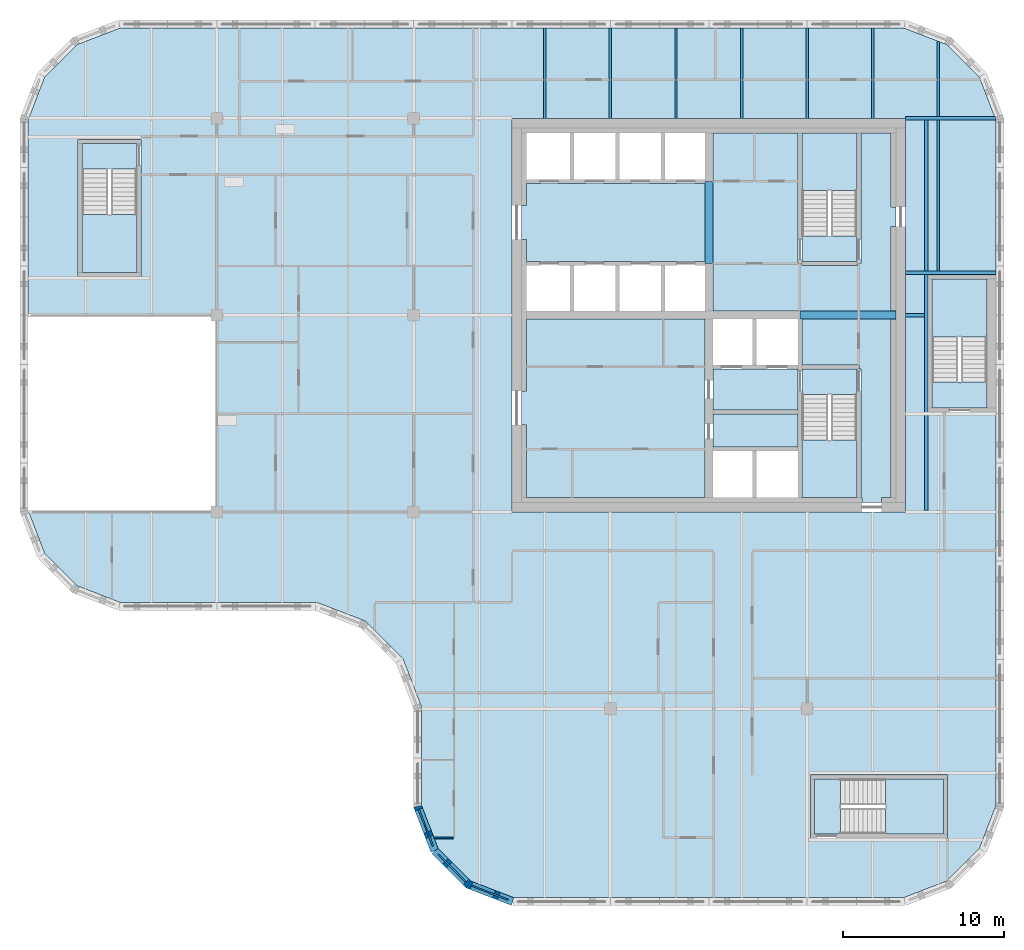
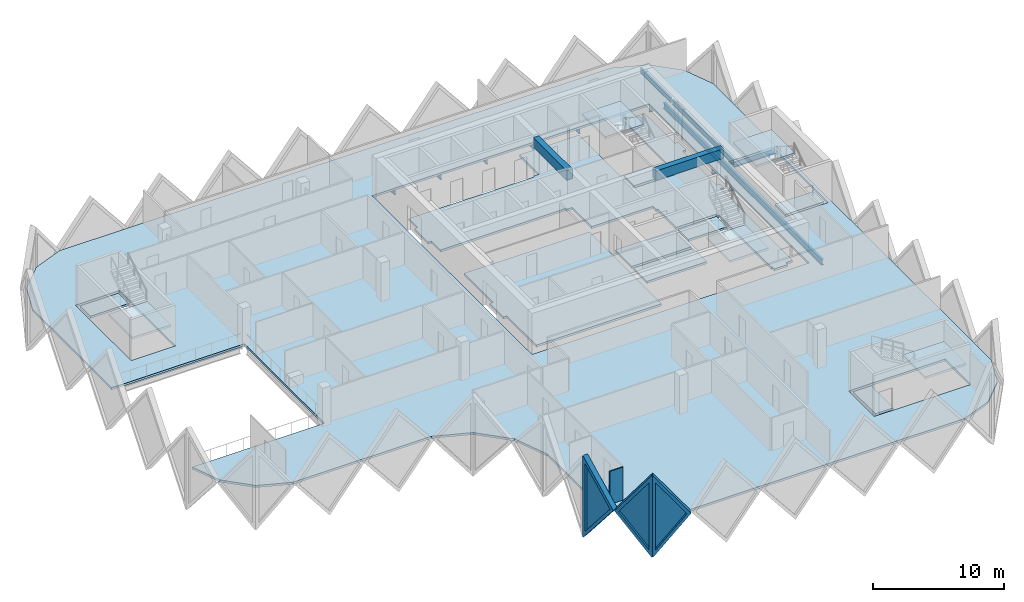
# One storey, part 2 of 12: 15 slabs, 14 beams, 4 walls, 3 plates, 3 openings, 5 elements without a shape of their own.
"""IFC4 building model written with IfcOpenShell, lengths in metres."""

from ifc_helpers import new_model, si_unit, direction, frame, frame_2d, origin, origin_2d, place, context, subcontext, project, spatial, polyline, rectangle, i_section, outline, extrude, faceted_brep, source, transform, mapped, material, layer, layer_set, material_profile, profile_set, type_object, element, fill, aggregate, save


model = new_model("IFC4")

# Units and contexts
model_context = context("Model", 3, precision=1e-05, world=origin(), true_north=direction((0.0, 1.0)))
body_context = subcontext(model_context, "Body", "Model", "MODEL_VIEW")
ifc_project = project(units=[si_unit("LENGTHUNIT", "METRE"), si_unit("AREAUNIT", "SQUARE_METRE"), si_unit("VOLUMEUNIT", "CUBIC_METRE"), si_unit("PLANEANGLEUNIT", "RADIAN"), si_unit("MASSUNIT", "GRAM", prefix="KILO")], contexts=[model_context])

# Site, building, storey
site_placement = place(None, origin())
site = spatial("IfcSite", under=ifc_project, at=site_placement, CompositionType="ELEMENT")
building_placement = place(site_placement, origin())
building = spatial("IfcBuilding", under=site, at=building_placement, Name="Tessera Gate Towers", CompositionType="ELEMENT")
storey_placement = place(building_placement, frame((0.0, 0.0, 159.199951171875)))
storey = spatial("IfcBuildingStorey", under=building, at=storey_placement, Name="L39", CompositionType="ELEMENT", Elevation=159.199951171875)

# Beams
ifc_material_1 = material(Name="Concrete C50/60", Category="concrete")
ifc_material_profile_1 = material_profile(ifc_material_1, rectangle(XDim=0.5, YDim=0.89990234375, at=origin_2d()), Name="RC 500x900")
ifc_profile_set_1 = profile_set([ifc_material_profile_1], Name="Concrete C50/60")
beam_type_1 = type_object("IfcBeamType", Name="COUPLING BEAM 500x900 C50/60", PredefinedType="BEAM", material=ifc_profile_set_1)
beam_1_placement = place(storey_placement, frame((48.35009765625, 36.60009765625, 3.150146484375), z_axis=(1.0, 0.0, 0.0), x_axis=(0.0, 1.0, 0.0)))
element("IfcBeam", 1, at=beam_1_placement, inside=storey, type_object=beam_type_1, Name="L39 coupling beam 1", PredefinedType="BEAM", context=body_context, shape_type="SweptSolid", body=[
    extrude(rectangle(XDim=0.5, YDim=0.89990234375, at=origin_2d()), origin(), (0.0, 0.0, 1.0), 5.949951171875),
])
beam_2_placement = place(storey_placement, frame((42.699951171875, 39.800048828125, 3.150146484375), z_axis=(0.0, 1.0, 0.0), x_axis=(-1.0, 0.0, 0.0)))
element("IfcBeam", 2, at=beam_2_placement, inside=storey, type_object=beam_type_1, Name="L39 coupling beam 2", PredefinedType="BEAM", context=body_context, shape_type="SweptSolid", body=[
    extrude(rectangle(XDim=0.5, YDim=0.89990234375, at=origin_2d()), origin(), (0.0, 0.0, 1.0), 5.099853515625),
])
ifc_material_2 = material(Name="Steel 350W", Category="steel")
ifc_material_profile_2 = material_profile(ifc_material_2, i_section(OverallWidth=0.208984375, OverallDepth=0.532958984375, WebThickness=0.01025390625, FlangeThickness=0.015625, at=origin_2d()), Name="W530x92")
ifc_profile_set_2 = profile_set([ifc_material_profile_2], Name="Steel 350W")
beam_type_2 = type_object("IfcBeamType", Name="FLOOR GIRDER W530x92", PredefinedType="BEAM", material=ifc_profile_set_2)
beam_3_placement = place(storey_placement, frame((54.89892578125, 36.60009765625, -0.466552734375), z_axis=(1.0, 0.0, 0.0), x_axis=(0.0, 1.0, 0.0)))
element("IfcBeam", 3, at=beam_3_placement, inside=storey, type_object=beam_type_2, Name="T1-GD-L39-4452", PredefinedType="BEAM", context=body_context, shape_type="SweptSolid", body=[
    extrude(i_section(OverallWidth=0.208984375, OverallDepth=0.532958984375, WebThickness=0.01025390625, FlangeThickness=0.015625, at=origin_2d()), origin(), (0.0, 0.0, 1.0), 1.176513671875),
])
beam_4_placement = place(storey_placement, frame((54.90087890625, 48.800048828125, -0.466552734375), z_axis=(1.0, 0.0, 0.0), x_axis=(0.0, 1.0, 0.0)))
element("IfcBeam", 4, at=beam_4_placement, inside=storey, type_object=beam_type_2, Name="T1-GD-L39-4456", PredefinedType="BEAM", context=body_context, shape_type="SweptSolid", body=[
    extrude(i_section(OverallWidth=0.208984375, OverallDepth=0.532958984375, WebThickness=0.01025390625, FlangeThickness=0.015625, at=origin_2d()), origin(), (0.0, 0.0, 1.0), 5.564208984375),
])
beam_5_placement = place(storey_placement, frame((54.89892578125, 39.219970703125, -0.466552734375), z_axis=(1.0, 0.0, 0.0), x_axis=(0.0, 1.0, 0.0)))
element("IfcBeam", 5, at=beam_5_placement, inside=storey, type_object=beam_type_2, Name="T1-GD-L39-4474", PredefinedType="BEAM", context=body_context, shape_type="SweptSolid", body=[
    extrude(i_section(OverallWidth=0.208984375, OverallDepth=0.532958984375, WebThickness=0.01025390625, FlangeThickness=0.015625, at=origin_2d()), origin(), (0.0, 0.0, 1.0), 5.60205078125),
])
beam_6_placement = place(storey_placement, frame((56.179931640625, 24.50439453125, -0.466552734375), z_axis=(0.0, 1.0, 0.0), x_axis=(-1.0, 0.0, 0.0)))
element("IfcBeam", 6, at=beam_6_placement, inside=storey, type_object=beam_type_2, Name="T1-GD-L39-4475", PredefinedType="BEAM", context=body_context, shape_type="SweptSolid", body=[
    extrude(i_section(OverallWidth=0.208984375, OverallDepth=0.532958984375, WebThickness=0.01025390625, FlangeThickness=0.015625, at=origin_2d()), origin(), (0.0, 0.0, 1.0), 24.191162109375),
])
ifc_material_3 = material(Name="Steel 350W", Category="steel")
ifc_material_profile_3 = material_profile(ifc_material_3, i_section(OverallWidth=0.153076171875, OverallDepth=0.455078125, WebThickness=0.008056640625, FlangeThickness=0.01318359375, at=origin_2d()), Name="W460x60")
ifc_profile_set_3 = profile_set([ifc_material_profile_3], Name="Steel 350W")
beam_type_3 = type_object("IfcBeamType", Name="FLOOR SECONDARY W460x60", PredefinedType="BEAM", material=ifc_profile_set_3)
for number, where, z_axis, x_axis, name in (
    (7, (32.533203125, 48.800048828125, -0.427490234375), (0.0, 1.0, 0.0), (-1.0, 0.0, 0.0), "T1-BM-L39-4497"),
    (8, (36.60009765625, 48.800048828125, -0.427490234375), (0.0, 1.0, 0.0), (-1.0, 0.0, 0.0), "T1-BM-L39-4498"),
    (9, (40.666748046875, 48.800048828125, -0.427490234375), (0.0, 1.0, 0.0), (-1.0, 0.0, 0.0), "T1-BM-L39-4501"),
    (10, (44.7333984375, 48.800048828125, -0.427490234375), (0.0, 1.0, 0.0), (-1.0, 0.0, 0.0), "T1-BM-L39-4504"),
    (11, (48.800048828125, 48.800048828125, -0.427490234375), (0.0, 1.0, 0.0), (-1.0, 0.0, 0.0), "T1-BM-L39-4505"),
    (12, (52.86669921875, 48.800048828125, -0.427490234375), (0.0, 1.0, 0.0), (-1.0, 0.0, 0.0), "T1-BM-L39-4509"),
):
    element("IfcBeam", number, at=place(storey_placement, frame(where, z_axis=z_axis, x_axis=x_axis)), inside=storey, type_object=beam_type_3, Name=name, PredefinedType="BEAM", context=body_context, shape_type="SweptSolid", body=[
        extrude(i_section(OverallWidth=0.153076171875, OverallDepth=0.455078125, WebThickness=0.008056640625, FlangeThickness=0.01318359375, at=origin_2d()), origin(), (0.0, 0.0, 1.0), 5.599853515625),
    ])
beam_7_placement = place(storey_placement, frame((56.933349609375, 39.324462890625, -0.427490234375), z_axis=(0.0, 1.0, 0.0), x_axis=(-1.0, 0.0, 0.0)))
element("IfcBeam", 13, at=beam_7_placement, inside=storey, type_object=beam_type_3, Name="T1-BM-L39-4514", PredefinedType="BEAM", context=body_context, shape_type="SweptSolid", body=[
    extrude(i_section(OverallWidth=0.153076171875, OverallDepth=0.455078125, WebThickness=0.008056640625, FlangeThickness=0.01318359375, at=origin_2d()), origin(), (0.0, 0.0, 1.0), 9.37109375),
])
beam_8_placement = place(storey_placement, frame((56.933349609375, 48.904541015625, -0.427490234375), z_axis=(0.0, 1.0, 0.0), x_axis=(-1.0, 0.0, 0.0)))
element("IfcBeam", 14, at=beam_8_placement, inside=storey, type_object=beam_type_3, Name="T1-BM-L39-4515", PredefinedType="BEAM", context=body_context, shape_type="SweptSolid", body=[
    extrude(i_section(OverallWidth=0.153076171875, OverallDepth=0.455078125, WebThickness=0.008056640625, FlangeThickness=0.01318359375, at=origin_2d()), origin(), (0.0, 0.0, 1.0), 4.675048828125),
])

# Slabs
ifc_material_4 = material(Name="Concrete C35/45", Category="concrete")
ifc_layer_1 = layer(ifc_material_4, 0.199951171875)
ifc_layer_set_1 = layer_set([ifc_layer_1], Name="COMPOSITE FLOOR 200")
slab_type_1 = type_object("IfcSlabType", Name="COMPOSITE FLOOR 200", PredefinedType="FLOOR", material=ifc_layer_set_1)
slab_1_placement = place(storey_placement, frame((0.0, 0.0, -0.199951171875)))
element("IfcSlab", 15, at=slab_1_placement, inside=storey, type_object=slab_type_1, Name="T1-L39", PredefinedType="FLOOR", context=body_context, shape_type="SweptSolid", body=[
    extrude(outline(polyline([(0.5, 36.60009765625), (12.199951171875, 36.60009765625), (12.199951171875, 24.39990234375), (0.535888671875, 24.39990234375), (1.526123046875, 21.8330078125), (3.533203125, 19.826171875), (6.193115234375, 18.800048828125), (18.39306640625, 18.800048828125), (21.42431640625, 17.630615234375), (23.730712890625, 15.32421875), (24.89990234375, 12.293212890625), (24.89990234375, 6.193115234375), (25.926025390625, 3.533203125), (27.93310546875, 1.526123046875), (30.593017578125, 0.5), (54.806884765625, 0.5), (57.466796875, 1.526123046875), (59.473876953125, 3.533203125), (60.5, 6.193115234375), (60.5, 48.706787109375), (59.473876953125, 51.366943359375), (57.466796875, 53.373779296875), (54.806884765625, 54.39990234375), (6.193115234375, 54.39990234375), (3.533203125, 53.373779296875), (1.526123046875, 51.366943359375), (0.5, 48.706787109375), (0.5, 36.60009765625)]), holes=[polyline([(3.60009765625, 39.0), (3.60009765625, 47.5), (7.5, 47.5), (7.5, 39.0), (3.60009765625, 39.0)]), polyline([(30.5, 24.39990234375), (30.5, 48.800048828125), (54.89990234375, 48.800048828125), (54.89990234375, 24.39990234375), (30.5, 24.39990234375)]), polyline([(49.0, 4.199951171875), (49.0, 8.10009765625), (57.5, 8.10009765625), (57.5, 4.199951171875), (49.0, 4.199951171875)]), polyline([(56.300048828125, 30.60009765625), (56.300048828125, 39.10009765625), (60.199951171875, 39.10009765625), (60.199951171875, 30.60009765625), (56.300048828125, 30.60009765625)])]), origin(), (0.0, 0.0, 1.0), 0.199951171875),
])
ifc_material_5 = material(Name="Concrete C35/45", Category="concrete")
ifc_layer_2 = layer(ifc_material_5, 0.199951171875)
ifc_layer_set_2 = layer_set([ifc_layer_2], Name="CORE FLOOR SLAB 200")
slab_type_2 = type_object("IfcSlabType", Name="CORE FLOOR SLAB 200", PredefinedType="FLOOR", material=ifc_layer_set_2)
slab_2_placement = place(storey_placement, frame((0.0, 0.0, -0.199951171875)))
element("IfcSlab", 16, at=slab_2_placement, inside=storey, type_object=slab_type_2, Name="L39 core floor slab", PredefinedType="FLOOR", context=body_context, shape_type="SweptSolid", body=[
    extrude(outline(polyline([(42.449951171875, 44.89990234375), (42.449951171875, 44.77490234375), (31.39990234375, 44.77490234375), (31.39990234375, 43.39990234375), (31.10009765625, 43.39990234375), (31.10009765625, 41.300048828125), (31.39990234375, 41.300048828125), (31.39990234375, 39.925048828125), (42.449951171875, 39.925048828125), (42.449951171875, 39.800048828125), (42.949951171875, 39.800048828125), (42.949951171875, 36.85009765625), (48.35009765625, 36.85009765625), (48.35009765625, 36.35009765625), (48.47509765625, 36.35009765625), (48.47509765625, 33.52490234375), (52.0, 33.52490234375), (52.0, 33.27490234375), (52.125, 33.27490234375), (52.125, 25.300048828125), (52.199951171875, 25.300048828125), (52.199951171875, 25.0), (53.39990234375, 25.0), (53.39990234375, 25.300048828125), (54.0, 25.300048828125), (54.0, 36.320068359375), (54.300048828125, 36.320068359375), (54.300048828125, 36.8798828125), (54.0, 36.8798828125), (54.0, 42.10009765625), (54.300048828125, 42.10009765625), (54.300048828125, 43.300048828125), (54.0, 43.300048828125), (54.0, 47.89990234375), (52.125, 47.89990234375), (52.125, 39.800048828125), (51.875, 39.800048828125), (51.875, 39.675048828125), (48.47509765625, 39.675048828125), (48.47509765625, 39.800048828125), (48.22509765625, 39.800048828125), (48.22509765625, 47.89990234375), (42.949951171875, 47.89990234375), (42.949951171875, 44.89990234375), (42.449951171875, 44.89990234375)])), origin(), (0.0, 0.0, 1.0), 0.199951171875),
])
slab_3_placement = place(storey_placement, frame((0.0, 0.0, -0.199951171875)))
element("IfcSlab", 17, at=slab_3_placement, inside=storey, type_object=slab_type_2, Name="L39 core floor slab", PredefinedType="FLOOR", context=body_context, shape_type="SweptSolid", body=[
    extrude(outline(polyline([(31.39990234375, 36.35009765625), (31.39990234375, 31.89990234375), (31.10009765625, 31.89990234375), (31.10009765625, 29.800048828125), (31.39990234375, 29.800048828125), (31.39990234375, 25.300048828125), (42.449951171875, 25.300048828125), (42.449951171875, 36.35009765625), (31.39990234375, 36.35009765625)])), origin(), (0.0, 0.0, 1.0), 0.199951171875),
])
slab_4_placement = place(storey_placement, frame((0.0, 0.0, -0.199951171875)))
element("IfcSlab", 18, at=slab_4_placement, inside=storey, type_object=slab_type_2, Name="L39 core floor slab", PredefinedType="FLOOR", context=body_context, shape_type="SweptSolid", body=[
    extrude(outline(polyline([(42.949951171875, 33.27490234375), (42.949951171875, 30.72509765625), (48.22509765625, 30.72509765625), (48.22509765625, 33.27490234375), (42.949951171875, 33.27490234375)])), origin(), (0.0, 0.0, 1.0), 0.199951171875),
])
slab_5_placement = place(storey_placement, frame((0.0, 0.0, -0.199951171875)))
element("IfcSlab", 19, at=slab_5_placement, inside=storey, type_object=slab_type_2, Name="L39 core floor slab", PredefinedType="FLOOR", context=body_context, shape_type="SweptSolid", body=[
    extrude(outline(polyline([(48.22509765625, 30.47509765625), (42.949951171875, 30.47509765625), (42.949951171875, 28.425048828125), (48.22509765625, 28.425048828125), (48.22509765625, 30.47509765625)])), origin(), (0.0, 0.0, 1.0), 0.199951171875),
])
slab_6_placement = place(storey_placement, frame((0.0, 0.0, -0.199951171875)))
element("IfcSlab", 20, at=slab_6_placement, inside=storey, type_object=slab_type_2, Name="L39 core floor slab", PredefinedType="FLOOR", context=body_context, shape_type="SweptSolid", body=[
    extrude(outline(polyline([(51.875, 31.675048828125), (51.875, 33.27490234375), (48.47509765625, 33.27490234375), (48.47509765625, 31.675048828125), (51.875, 31.675048828125)])), origin(), (0.0, 0.0, 1.0), 0.199951171875),
])
slab_7_placement = place(storey_placement, frame((0.0, 0.0, -0.199951171875)))
element("IfcSlab", 21, at=slab_7_placement, inside=storey, type_object=slab_type_2, Name="L39 core floor slab", PredefinedType="FLOOR", context=body_context, shape_type="SweptSolid", body=[
    extrude(outline(polyline([(48.47509765625, 41.52490234375), (48.47509765625, 39.925048828125), (51.875, 39.925048828125), (51.875, 41.52490234375), (48.47509765625, 41.52490234375)])), origin(), (0.0, 0.0, 1.0), 0.199951171875),
])
slab_8_placement = place(storey_placement, frame((0.0, 0.0, -0.199951171875)))
element("IfcSlab", 22, at=slab_8_placement, inside=storey, type_object=slab_type_2, Name="L39 ST3 floor landing", PredefinedType="FLOOR", context=body_context, shape_type="SweptSolid", body=[
    extrude(outline(polyline([(3.85009765625, 47.25), (3.85009765625, 45.64990234375), (7.25, 45.64990234375), (7.25, 47.25), (3.85009765625, 47.25)])), origin(), (0.0, 0.0, 1.0), 0.199951171875),
])
slab_9_placement = place(storey_placement, frame((0.0, 0.0, -0.199951171875)))
element("IfcSlab", 23, at=slab_9_placement, inside=storey, type_object=slab_type_2, Name="L39 ST4 floor landing", PredefinedType="FLOOR", context=body_context, shape_type="SweptSolid", body=[
    extrude(outline(polyline([(49.25, 4.449951171875), (50.85009765625, 4.449951171875), (50.85009765625, 7.85009765625), (49.25, 7.85009765625), (49.25, 4.449951171875)])), origin(), (0.0, 0.0, 1.0), 0.199951171875),
])
slab_10_placement = place(storey_placement, frame((0.0, 0.0, -0.199951171875)))
element("IfcSlab", 24, at=slab_10_placement, inside=storey, type_object=slab_type_2, Name="L39 ST5 floor landing", PredefinedType="FLOOR", context=body_context, shape_type="SweptSolid", body=[
    extrude(outline(polyline([(59.949951171875, 30.85009765625), (59.949951171875, 32.449951171875), (56.550048828125, 32.449951171875), (56.550048828125, 30.85009765625), (59.949951171875, 30.85009765625)])), origin(), (0.0, 0.0, 1.0), 0.199951171875),
])

# Stair, slab
ifc_material_6 = material(Name="Concrete C40/50", Category="concrete")
stair_type_1 = type_object("IfcStairType", Name="EXIT STAIR ST1 1600", PredefinedType="HALF_TURN_STAIR", material=ifc_material_6)
stair_1_placement = place(storey_placement, origin())
stair_1 = element("IfcStair", 25, at=stair_1_placement, inside=storey, type_object=stair_type_1, Name="L39 Protected Exit Stair ST1", PredefinedType="HALF_TURN_STAIR")
ifc_material_7 = material(Name="Concrete C40/50", Category="concrete")
ifc_layer_3 = layer(ifc_material_7, 0.199951171875)
ifc_layer_set_3 = layer_set([ifc_layer_3], Name="EXIT STAIR LANDING 200")
slab_type_3 = type_object("IfcSlabType", Name="EXIT STAIR LANDING 200", PredefinedType="LANDING", material=ifc_layer_set_3)
slab_11_placement = place(storey_placement, frame((0.0, 0.0, 1.699951171875)))
slab_11 = element("IfcSlab", 26, at=slab_11_placement, type_object=slab_type_3, Name="ST1 landing 1", PredefinedType="LANDING", context=body_context, shape_type="SweptSolid", body=[
    extrude(outline(polyline([(48.47509765625, 28.875), (48.47509765625, 25.300048828125), (51.875, 25.300048828125), (51.875, 28.875), (48.47509765625, 28.875)])), origin(), (0.0, 0.0, 1.0), 0.2001953125),
])
aggregate(stair_1, [slab_11])

ifc_material_8 = material(Name="Concrete C40/50", Category="concrete")
stair_type_2 = type_object("IfcStairType", Name="EXIT STAIR ST2 1600", PredefinedType="HALF_TURN_STAIR", material=ifc_material_8)
stair_2_placement = place(storey_placement, origin())
stair_2 = element("IfcStair", 27, at=stair_2_placement, inside=storey, type_object=stair_type_2, Name="L39 Protected Exit Stair ST2", PredefinedType="HALF_TURN_STAIR")
slab_12_placement = place(storey_placement, frame((0.0, 0.0, 1.699951171875)))
slab_12 = element("IfcSlab", 28, at=slab_12_placement, type_object=slab_type_3, Name="ST2 landing 1", PredefinedType="LANDING", context=body_context, shape_type="SweptSolid", body=[
    extrude(outline(polyline([(51.875, 44.324951171875), (51.875, 47.89990234375), (48.47509765625, 47.89990234375), (48.47509765625, 44.324951171875), (51.875, 44.324951171875)])), origin(), (0.0, 0.0, 1.0), 0.2001953125),
])
aggregate(stair_2, [slab_12])

ifc_material_9 = material(Name="Concrete C40/50", Category="concrete")
stair_type_3 = type_object("IfcStairType", Name="EXIT STAIR ST3 1600", PredefinedType="HALF_TURN_STAIR", material=ifc_material_9)
stair_3_placement = place(storey_placement, origin())
stair_3 = element("IfcStair", 29, at=stair_3_placement, inside=storey, type_object=stair_type_3, Name="L39 West Exit Stair ST3", PredefinedType="HALF_TURN_STAIR")
slab_13_placement = place(storey_placement, frame((0.0, 0.0, 1.699951171875)))
slab_13 = element("IfcSlab", 30, at=slab_13_placement, type_object=slab_type_3, Name="ST3 landing 1", PredefinedType="LANDING", context=body_context, shape_type="SweptSolid", body=[
    extrude(outline(polyline([(3.85009765625, 42.85009765625), (3.85009765625, 39.25), (7.25, 39.25), (7.25, 42.85009765625), (3.85009765625, 42.85009765625)])), origin(), (0.0, 0.0, 1.0), 0.2001953125),
])
aggregate(stair_3, [slab_13])

ifc_material_10 = material(Name="Concrete C40/50", Category="concrete")
stair_type_4 = type_object("IfcStairType", Name="EXIT STAIR ST4 1600", PredefinedType="HALF_TURN_STAIR", material=ifc_material_10)
stair_4_placement = place(storey_placement, origin())
stair_4 = element("IfcStair", 31, at=stair_4_placement, inside=storey, type_object=stair_type_4, Name="L39 South Exit Stair ST4", PredefinedType="HALF_TURN_STAIR")
slab_14_placement = place(storey_placement, frame((0.0, 0.0, 1.699951171875)))
slab_14 = element("IfcSlab", 32, at=slab_14_placement, type_object=slab_type_3, Name="ST4 landing 1", PredefinedType="LANDING", context=body_context, shape_type="SweptSolid", body=[
    extrude(outline(polyline([(53.64990234375, 4.449951171875), (57.25, 4.449951171875), (57.25, 7.85009765625), (53.64990234375, 7.85009765625), (53.64990234375, 4.449951171875)])), origin(), (0.0, 0.0, 1.0), 0.2001953125),
])
aggregate(stair_4, [slab_14])

ifc_material_11 = material(Name="Concrete C40/50", Category="concrete")
stair_type_5 = type_object("IfcStairType", Name="EXIT STAIR ST5 1600", PredefinedType="HALF_TURN_STAIR", material=ifc_material_11)
stair_5_placement = place(storey_placement, origin())
stair_5 = element("IfcStair", 33, at=stair_5_placement, inside=storey, type_object=stair_type_5, Name="L39 East Exit Stair ST5", PredefinedType="HALF_TURN_STAIR")
slab_15_placement = place(storey_placement, frame((0.0, 0.0, 1.699951171875)))
slab_15 = element("IfcSlab", 34, at=slab_15_placement, type_object=slab_type_3, Name="ST5 landing 1", PredefinedType="LANDING", context=body_context, shape_type="SweptSolid", body=[
    extrude(outline(polyline([(59.949951171875, 35.25), (59.949951171875, 38.85009765625), (56.550048828125, 38.85009765625), (56.550048828125, 35.25), (59.949951171875, 35.25)])), origin(), (0.0, 0.0, 1.0), 0.2001953125),
])
aggregate(stair_5, [slab_15])

# Wall
ifc_material_12 = material(Name="Gypsum board on steel studs", Category="steel")
ifc_layer_4 = layer(ifc_material_12, 0.10009765625)
ifc_layer_set_4 = layer_set([ifc_layer_4], Name="PARTITION 100")
wall_type_1 = type_object("IfcWallType", Name="PARTITION 100", PredefinedType="PARTITIONING", material=ifc_layer_set_4)
wall_1_placement = place(storey_placement, frame((25.668701171875, 4.199951171875, 0.0), z_axis=(0.0, 0.0, 1.0), x_axis=(1.0, 0.0, 0.0)))
element("IfcWall", 35, at=wall_1_placement, inside=storey, type_object=wall_type_1, Name="T1-L39-PW-003", PredefinedType="PARTITIONING", context=body_context, shape_type="SweptSolid", body=[
    extrude(rectangle(XDim=1.180419921875, YDim=0.10009765625, at=frame_2d((0.59033203125, 0.0))), origin(), (0.0, 0.0, 1.0), 3.067138671875),
])

# Wall, opening, plate
ifc_material_13 = material(Name="Precast concrete C60/75 white", Category="concrete")
ifc_layer_5 = layer(ifc_material_13, 0.5)
ifc_layer_set_5 = layer_set([ifc_layer_5], Name="TS3 corner tessera")
wall_type_2 = type_object("IfcWallType", Name="TS3 corner tessera", PredefinedType="SOLIDWALL", material=ifc_layer_set_5)
shared_shape_1 = source(origin(), body_context, "Body", "Brep", [
    faceted_brep([(0.046630859375, -0.25, 0.0), (2.9970703125, -0.25, 3.800048828125), (0.046630859375, -0.25, 7.60009765625), (0.0, -0.25, 7.541259765625), (0.0, -0.25, 0.058837890625), (0.09326171875, 0.25, 7.5400390625), (2.9443359375, 0.25, 3.8681640625), (2.9443359375, 0.25, 3.73193359375), (0.09326171875, 0.25, 0.06005859375), (2.9970703125, 0.00048828125, 3.800048828125), (0.046630859375, 0.0, 0.0), (0.046630859375, 0.0, 7.60009765625)], [[[0, 1, 2, 3, 4]], [[5, 6, 7, 8]], [[8, 7, 9, 1, 0, 10]], [[6, 5, 11, 2, 1, 9]], [[3, 2, 11]], [[10, 0, 4]], [[8, 10, 4, 3, 11, 5]], [[9, 7, 6]]]),
])
wall_2_placement = place(storey_placement, frame((24.63330078125, 6.18994140625, -3.800048828125), z_axis=(0.0, 0.0, 1.0), x_axis=(0.359901446078, -0.932990326376, 0.0)))
wall_2 = element("IfcWall", 36, at=wall_2_placement, inside=storey, type_object=wall_type_2, Name="Precast corner tessera T1 TS3-0910", PredefinedType="SOLIDWALL", context=body_context, shape_type="MappedRepresentation", body=[
    mapped(shared_shape_1, transform((0.0, 0.0, 0.0), scale=1.0)),
])
shared_shape_2 = source(origin(), body_context, "Body", "SweptSolid", [
    extrude(outline(polyline([(0.24658203125, 0.665283203125), (2.6806640625, 3.800048828125), (0.24658203125, 6.934814453125), (0.24658203125, 0.665283203125)])), frame((0.0, 0.260009765625, 0.0), z_axis=(0.0, -1.0, 0.0), x_axis=(1.0, 0.0, 0.0)), (0.0, 0.0, 1.0), 0.52001953125),
])
opening_1_placement = place(wall_2_placement, origin())
opening_1 = element("IfcOpeningElement", 37, at=opening_1_placement, cuts=wall_2, Name="Opening T1-PL2-1360", PredefinedType="OPENING", context=body_context, shape_type="MappedRepresentation", body=[
    mapped(shared_shape_2, transform((0.0, 0.0, 0.0), scale=1.0)),
])
ifc_material_14 = material(Name="Low-e laminated glass", Category="glass")
ifc_layer_6 = layer(ifc_material_14, 0.06005859375)
ifc_layer_set_6 = layer_set([ifc_layer_6], Name="PL2 rhombic pane")
plate_type = type_object("IfcPlateType", Name="PL2 rhombic pane", PredefinedType="SHEET", material=ifc_layer_set_6)
shared_shape_3 = source(origin(), body_context, "Body", "SweptSolid", [
    extrude(outline(polyline([(0.24658203125, 0.665283203125), (2.6806640625, 3.800048828125), (0.24658203125, 6.934814453125), (0.24658203125, 0.665283203125)])), frame((0.0, 0.030029296875, 0.0), z_axis=(0.0, -1.0, 0.0), x_axis=(1.0, 0.0, 0.0)), (0.0, 0.0, 1.0), 0.06005859375),
])
plate_1_placement = place(opening_1_placement, origin())
plate_1 = element("IfcPlate", 38, at=plate_1_placement, inside=storey, type_object=plate_type, Name="Glass pane T1 PL2-1360", PredefinedType="SHEET", context=body_context, shape_type="MappedRepresentation", body=[
    mapped(shared_shape_3, transform((0.0, 0.0, 0.0), scale=1.0)),
])
fill(opening_1, plate_1)

shared_shape_4 = source(origin(), body_context, "Body", "Brep", [
    faceted_brep([(0.052978515625, -0.25, 0.0), (3.00341796875, -0.25, 3.800048828125), (0.052978515625, -0.25, 7.60009765625), (0.0, -0.25, 7.53173828125), (0.0, -0.25, 0.068359375), (0.10595703125, 0.25, 7.531982421875), (2.95703125, 0.25, 3.85986328125), (2.95703125, 0.25, 3.740234375), (0.10595703125, 0.25, 0.068115234375), (3.00341796875, 0.00048828125, 3.800048828125), (0.052978515625, 0.0, 0.0), (0.052978515625, 0.0, 7.60009765625)], [[[0, 1, 2, 3, 4]], [[5, 6, 7, 8]], [[8, 7, 9, 1, 0, 10]], [[6, 5, 11, 2, 1, 9]], [[3, 2, 11]], [[10, 0, 4]], [[8, 10, 4, 3, 11, 5]], [[9, 7, 6]]]),
])
wall_3_placement = place(storey_placement, frame((27.744384765625, 1.3310546875, -3.800048828125), z_axis=(0.0, 0.0, 1.0), x_axis=(0.932970071518, -0.359953949349, 0.0)))
wall_3 = element("IfcWall", 39, at=wall_3_placement, inside=storey, type_object=wall_type_2, Name="Precast corner tessera T1 TS3-0912", PredefinedType="SOLIDWALL", context=body_context, shape_type="MappedRepresentation", body=[
    mapped(shared_shape_4, transform((0.0, 0.0, 0.0), scale=1.0)),
])
shared_shape_5 = source(origin(), body_context, "Body", "SweptSolid", [
    extrude(outline(polyline([(0.2529296875, 0.665283203125), (2.68701171875, 3.800048828125), (0.2529296875, 6.934814453125), (0.2529296875, 0.665283203125)])), frame((0.0, 0.260009765625, 0.0), z_axis=(0.0, -1.0, 0.0), x_axis=(1.0, 0.0, 0.0)), (0.0, 0.0, 1.0), 0.52001953125),
])
opening_2_placement = place(wall_3_placement, origin())
opening_2 = element("IfcOpeningElement", 40, at=opening_2_placement, cuts=wall_3, Name="Opening T1-PL2-1362", PredefinedType="OPENING", context=body_context, shape_type="MappedRepresentation", body=[
    mapped(shared_shape_5, transform((0.0, 0.0, 0.0), scale=1.0)),
])
shared_shape_6 = source(origin(), body_context, "Body", "SweptSolid", [
    extrude(outline(polyline([(0.2529296875, 0.665283203125), (2.68701171875, 3.800048828125), (0.2529296875, 6.934814453125), (0.2529296875, 0.665283203125)])), frame((0.0, 0.030029296875, 0.0), z_axis=(0.0, -1.0, 0.0), x_axis=(1.0, 0.0, 0.0)), (0.0, 0.0, 1.0), 0.06005859375),
])
plate_2_placement = place(opening_2_placement, origin())
plate_2 = element("IfcPlate", 41, at=plate_2_placement, inside=storey, type_object=plate_type, Name="Glass pane T1 PL2-1362", PredefinedType="SHEET", context=body_context, shape_type="MappedRepresentation", body=[
    mapped(shared_shape_6, transform((0.0, 0.0, 0.0), scale=1.0)),
])
fill(opening_2, plate_2)

shared_shape_7 = source(origin(), body_context, "Body", "Brep", [
    faceted_brep([(2.944091796875, -0.25, 0.0), (2.9970703125, -0.25, 0.068115234375), (2.9970703125, -0.25, 7.531982421875), (2.944091796875, -0.25, 7.60009765625), (0.0, -0.25, 3.800048828125), (0.052978515625, 0.25, 3.868408203125), (2.89111328125, 0.25, 7.531982421875), (2.89111328125, 0.25, 0.068115234375), (0.052978515625, 0.25, 3.731689453125), (2.944091796875, 0.000244140625, 0.0), (2.944091796875, 0.000244140625, 7.60009765625), (0.0, 0.0, 3.800048828125)], [[[0, 1, 2, 3, 4]], [[5, 6, 7, 8]], [[1, 0, 9]], [[10, 3, 2]], [[6, 5, 11, 4, 3, 10]], [[8, 7, 9, 0, 4, 11]], [[8, 11, 5]], [[1, 9, 7, 6, 10, 2]]]),
])
wall_4_placement = place(storey_placement, frame((25.7119140625, 3.393798828125, -3.800048828125), z_axis=(0.0, 0.0, 1.0), x_axis=(0.707066050402, -0.707147509625, 0.0)))
wall_4 = element("IfcWall", 42, at=wall_4_placement, inside=storey, type_object=wall_type_2, Name="Precast corner tessera T1 TS3-0911", PredefinedType="SOLIDWALL", context=body_context, shape_type="MappedRepresentation", body=[
    mapped(shared_shape_7, transform((0.0, 0.0, 0.0), scale=1.0)),
])
shared_shape_8 = source(origin(), body_context, "Body", "SweptSolid", [
    extrude(outline(polyline([(2.744140625, 6.933837890625), (0.316162109375, 3.800048828125), (2.744140625, 0.66650390625), (2.744140625, 6.933837890625)])), frame((0.0, 0.260009765625, 0.0), z_axis=(0.0, -1.0, 0.0), x_axis=(1.0, 0.0, 0.0)), (0.0, 0.0, 1.0), 0.52001953125),
])
opening_3_placement = place(wall_4_placement, origin())
opening_3 = element("IfcOpeningElement", 43, at=opening_3_placement, cuts=wall_4, Name="Opening T1-PL2-1361", PredefinedType="OPENING", context=body_context, shape_type="MappedRepresentation", body=[
    mapped(shared_shape_8, transform((0.0, 0.0, 0.0), scale=1.0)),
])
shared_shape_9 = source(origin(), body_context, "Body", "SweptSolid", [
    extrude(outline(polyline([(2.744140625, 6.933837890625), (0.316162109375, 3.800048828125), (2.744140625, 0.66650390625), (2.744140625, 6.933837890625)])), frame((0.0, 0.030029296875, 0.0), z_axis=(0.0, -1.0, 0.0), x_axis=(1.0, 0.0, 0.0)), (0.0, 0.0, 1.0), 0.06005859375),
])
plate_3_placement = place(opening_3_placement, origin())
plate_3 = element("IfcPlate", 44, at=plate_3_placement, inside=storey, type_object=plate_type, Name="Glass pane T1 PL2-1361", PredefinedType="SHEET", context=body_context, shape_type="MappedRepresentation", body=[
    mapped(shared_shape_9, transform((0.0, 0.0, 0.0), scale=1.0)),
])
fill(opening_3, plate_3)

save(model, "model.ifc")
